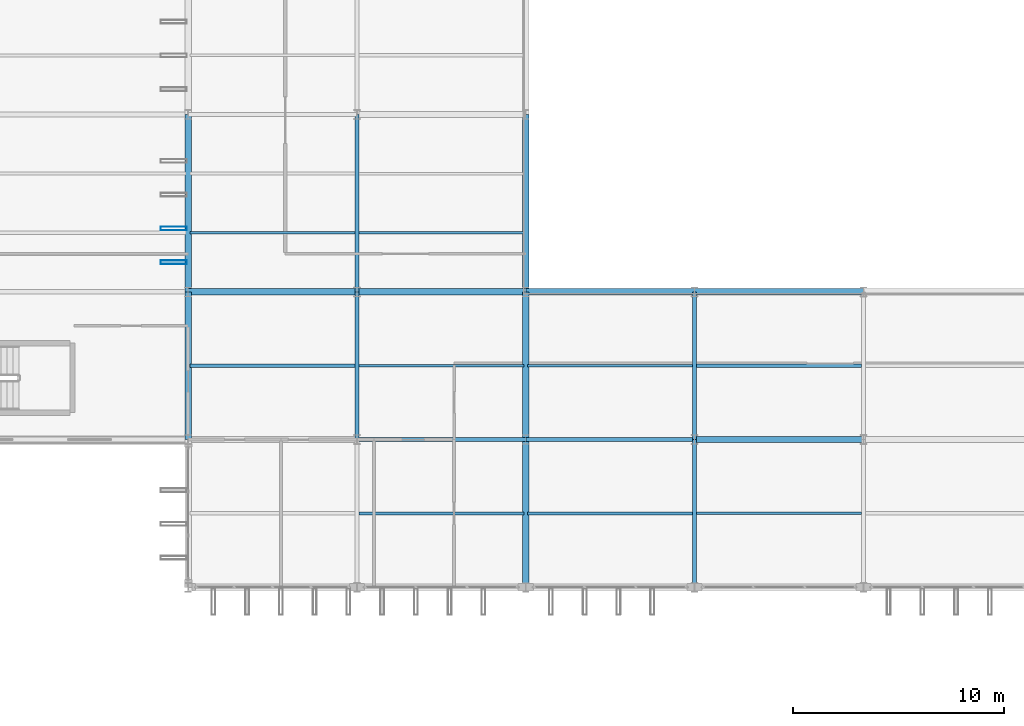
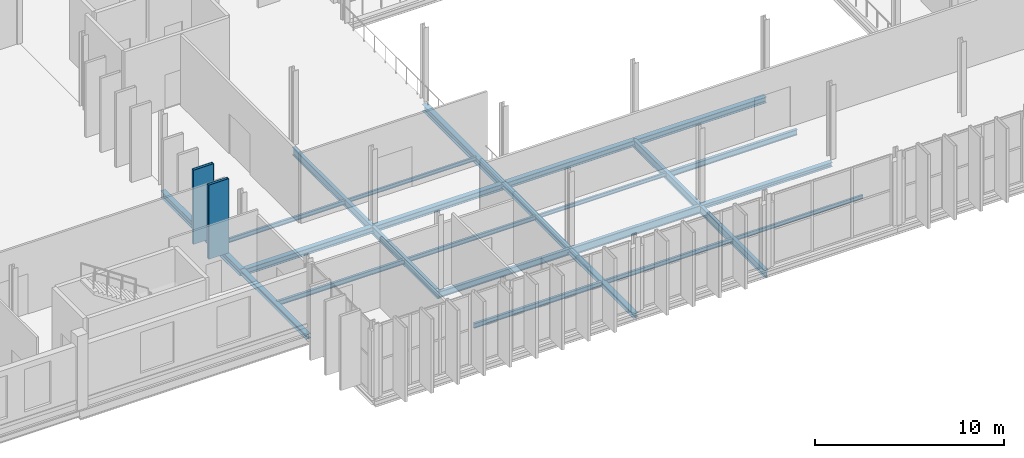
# One storey, part 27 of 120: 25 beams, 2 members.
"""IFC4 building model written with IfcOpenShell, lengths in metres."""

from ifc_helpers import new_model, si_unit, direction, frame, origin, origin_2d, place, context, subcontext, project, spatial, hollow_rectangle, i_section, extrude, material, material_profile, profile_set, type_object, element, save


model = new_model("IFC4")

# Units and contexts
model_context = context("Model", 3, precision=1e-05, world=origin(), true_north=direction((0.0, 1.0)))
body_context = subcontext(model_context, "Body", "Model", "MODEL_VIEW")
ifc_project = project(units=[si_unit("LENGTHUNIT", "METRE"), si_unit("AREAUNIT", "SQUARE_METRE"), si_unit("VOLUMEUNIT", "CUBIC_METRE"), si_unit("PLANEANGLEUNIT", "RADIAN"), si_unit("MASSUNIT", "GRAM", prefix="KILO")], contexts=[model_context])

# Site, building, storey
site_placement = place(None, origin())
site = spatial("IfcSite", under=ifc_project, at=site_placement, CompositionType="ELEMENT")
building_placement = place(site_placement, origin())
building = spatial("IfcBuilding", under=site, at=building_placement, Name="Vekula Escarpment Museum", CompositionType="ELEMENT")
storey_placement = place(building_placement, frame((0.0, 0.0, 13.199951171875)))
storey = spatial("IfcBuildingStorey", under=building, at=storey_placement, Name="L03", CompositionType="ELEMENT", Elevation=13.199951171875)

# Beams
ifc_material_1 = material(Name="Steel S355", Category="steel")
ifc_material_profile_1 = material_profile(ifc_material_1, i_section(OverallWidth=0.280029296875, OverallDepth=0.280029296875, WebThickness=0.010498046875, FlangeThickness=0.01806640625, FilletRadius=0.02392578125, at=origin_2d()), Name="HEB 280")
ifc_profile_set_1 = profile_set([ifc_material_profile_1], Name="Steel S355")
beam_type_1 = type_object("IfcBeamType", Name="BM-GIRD-HEB280", PredefinedType="BEAM", material=ifc_profile_set_1)
beam_1_placement = place(storey_placement, frame((94.0, 52.60009765625, -0.389892578125), z_axis=(1.0, 0.0, 0.0), x_axis=(0.0, 1.0, 0.0)))
element("IfcBeam", 1, at=beam_1_placement, inside=storey, type_object=beam_type_1, Name="Beam X L03 1332", PredefinedType="BEAM", context=body_context, shape_type="SweptSolid", body=[
    extrude(i_section(OverallWidth=0.280029296875, OverallDepth=0.280029296875, WebThickness=0.010498046875, FlangeThickness=0.01806640625, FilletRadius=0.02392578125, at=origin_2d()), origin(), (0.0, 0.0, 1.0), 8.0),
])
ifc_material_2 = material(Name="Steel S355", Category="steel")
ifc_material_profile_2 = material_profile(ifc_material_2, i_section(OverallWidth=0.179931640625, OverallDepth=0.39990234375, WebThickness=0.008544921875, FlangeThickness=0.013427734375, FilletRadius=0.02099609375, at=origin_2d()), Name="IPE 400")
ifc_profile_set_2 = profile_set([ifc_material_profile_2], Name="Steel S355")
beam_type_2 = type_object("IfcBeamType", Name="BM-GIRD-IPE400", PredefinedType="BEAM", material=ifc_profile_set_2)
beam_2_placement = place(storey_placement, frame((78.0, 52.60009765625, -0.449951171875), z_axis=(1.0, 0.0, 0.0), x_axis=(0.0, 1.0, 0.0)))
element("IfcBeam", 2, at=beam_2_placement, inside=storey, type_object=beam_type_2, Name="Beam X L03 1330", PredefinedType="BEAM", context=body_context, shape_type="SweptSolid", body=[
    extrude(i_section(OverallWidth=0.179931640625, OverallDepth=0.39990234375, WebThickness=0.008544921875, FlangeThickness=0.013427734375, FilletRadius=0.02099609375, at=origin_2d()), origin(), (0.0, 0.0, 1.0), 8.0),
])
ifc_material_3 = material(Name="Steel S355", Category="steel")
ifc_material_profile_3 = material_profile(ifc_material_3, i_section(OverallWidth=0.199951171875, OverallDepth=0.5, WebThickness=0.01025390625, FlangeThickness=0.01611328125, FilletRadius=0.02099609375, at=origin_2d()), Name="IPE 500")
ifc_profile_set_3 = profile_set([ifc_material_profile_3], Name="Steel S355")
beam_type_3 = type_object("IfcBeamType", Name="BM-GIRD-IPE500", PredefinedType="BEAM", material=ifc_profile_set_3)
beam_3_placement = place(storey_placement, frame((86.0, 52.60009765625, -0.5), z_axis=(1.0, 0.0, 0.0), x_axis=(0.0, 1.0, 0.0)))
element("IfcBeam", 3, at=beam_3_placement, inside=storey, type_object=beam_type_3, Name="Beam X L03 1331", PredefinedType="BEAM", context=body_context, shape_type="SweptSolid", body=[
    extrude(i_section(OverallWidth=0.199951171875, OverallDepth=0.5, WebThickness=0.01025390625, FlangeThickness=0.01611328125, FilletRadius=0.02099609375, at=origin_2d()), origin(), (0.0, 0.0, 1.0), 8.0),
])
beam_4_placement = place(storey_placement, frame((78.0, 52.60009765625, -0.5), z_axis=(0.0, 1.0, 0.0), x_axis=(-1.0, 0.0, 0.0)))
element("IfcBeam", 4, at=beam_4_placement, inside=storey, type_object=beam_type_3, Name="Beam Y L03 1566", PredefinedType="BEAM", context=body_context, shape_type="SweptSolid", body=[
    extrude(i_section(OverallWidth=0.199951171875, OverallDepth=0.5, WebThickness=0.01025390625, FlangeThickness=0.01611328125, FilletRadius=0.02099609375, at=origin_2d()), origin(), (0.0, 0.0, 1.0), 7.0),
])
beam_5_placement = place(storey_placement, frame((78.0, 59.60009765625, -0.5), z_axis=(0.0, 1.0, 0.0), x_axis=(-1.0, 0.0, 0.0)))
element("IfcBeam", 5, at=beam_5_placement, inside=storey, type_object=beam_type_3, Name="Beam Y L03 1567", PredefinedType="BEAM", context=body_context, shape_type="SweptSolid", body=[
    extrude(i_section(OverallWidth=0.199951171875, OverallDepth=0.5, WebThickness=0.01025390625, FlangeThickness=0.01611328125, FilletRadius=0.02099609375, at=origin_2d()), origin(), (0.0, 0.0, 1.0), 8.39990234375),
])
for number, where, z_axis, x_axis, name in (
    (6, (94.0, 45.60009765625, -0.5), (0.0, 1.0, 0.0), (-1.0, 0.0, 0.0), "Beam Y L03 1585"),
    (7, (94.0, 52.60009765625, -0.5), (0.0, 1.0, 0.0), (-1.0, 0.0, 0.0), "Beam Y L03 1586"),
):
    element("IfcBeam", number, at=place(storey_placement, frame(where, z_axis=z_axis, x_axis=x_axis)), inside=storey, type_object=beam_type_3, Name=name, PredefinedType="BEAM", context=body_context, shape_type="SweptSolid", body=[
        extrude(i_section(OverallWidth=0.199951171875, OverallDepth=0.5, WebThickness=0.01025390625, FlangeThickness=0.01611328125, FilletRadius=0.02099609375, at=origin_2d()), origin(), (0.0, 0.0, 1.0), 7.0),
    ])
ifc_material_4 = material(Name="Steel S355", Category="steel")
ifc_material_profile_4 = material_profile(ifc_material_4, i_section(OverallWidth=0.1201171875, OverallDepth=0.239990234375, WebThickness=0.006103515625, FlangeThickness=0.009765625, FilletRadius=0.014892578125, at=origin_2d()), Name="IPE 240")
ifc_profile_set_4 = profile_set([ifc_material_profile_4], Name="Steel S355")
beam_type_4 = type_object("IfcBeamType", Name="BM-JST-IPE240", PredefinedType="JOIST", material=ifc_profile_set_4)
for number, where, z_axis, x_axis, name in (
    (8, (78.090087890625, 62.39990234375, -0.369873046875), (1.0, 0.0, 0.0), (0.0, 1.0, 0.0), "Secondary Joist L03 1004"),
    (9, (86.090087890625, 56.10009765625, -0.369873046875), (1.0, 0.0, 0.0), (0.0, 1.0, 0.0), "Secondary Joist L03 1017"),
    (10, (94.090087890625, 49.10009765625, -0.369873046875), (1.0, 0.0, 0.0), (0.0, 1.0, 0.0), "Secondary Joist L03 1027"),
):
    element("IfcBeam", number, at=place(storey_placement, frame(where, z_axis=z_axis, x_axis=x_axis)), inside=storey, type_object=beam_type_4, Name=name, PredefinedType="JOIST", context=body_context, shape_type="SweptSolid", body=[
        extrude(i_section(OverallWidth=0.1201171875, OverallDepth=0.239990234375, WebThickness=0.006103515625, FlangeThickness=0.009765625, FilletRadius=0.014892578125, at=origin_2d()), origin(), (0.0, 0.0, 1.0), 7.81982421875),
    ])
ifc_material_5 = material(Name="Steel S355", Category="steel")
ifc_material_profile_5 = material_profile(ifc_material_5, i_section(OverallWidth=0.135009765625, OverallDepth=0.27001953125, WebThickness=0.006591796875, FlangeThickness=0.01025390625, FilletRadius=0.014892578125, at=origin_2d()), Name="IPE 270")
ifc_profile_set_5 = profile_set([ifc_material_profile_5], Name="Steel S355")
beam_type_5 = type_object("IfcBeamType", Name="BM-JST-IPE270", PredefinedType="JOIST", material=ifc_profile_set_5)
for number, where, z_axis, x_axis, name in (
    (11, (70.090087890625, 62.39990234375, -0.385009765625), (1.0, 0.0, 0.0), (0.0, 1.0, 0.0), "Secondary Joist L03 0993"),
    (12, (78.090087890625, 56.10009765625, -0.385009765625), (1.0, 0.0, 0.0), (0.0, 1.0, 0.0), "Secondary Joist L03 1003"),
    (13, (86.090087890625, 49.10009765625, -0.385009765625), (1.0, 0.0, 0.0), (0.0, 1.0, 0.0), "Secondary Joist L03 1016"),
):
    element("IfcBeam", number, at=place(storey_placement, frame(where, z_axis=z_axis, x_axis=x_axis)), inside=storey, type_object=beam_type_5, Name=name, PredefinedType="JOIST", context=body_context, shape_type="SweptSolid", body=[
        extrude(i_section(OverallWidth=0.135009765625, OverallDepth=0.27001953125, WebThickness=0.006591796875, FlangeThickness=0.01025390625, FilletRadius=0.014892578125, at=origin_2d()), origin(), (0.0, 0.0, 1.0), 7.81982421875),
    ])
ifc_material_6 = material(Name="Steel S355", Category="steel")
ifc_material_profile_6 = material_profile(ifc_material_6, i_section(OverallWidth=0.14990234375, OverallDepth=0.300048828125, WebThickness=0.007080078125, FlangeThickness=0.0107421875, FilletRadius=0.014892578125, at=origin_2d()), Name="IPE 300")
ifc_profile_set_6 = profile_set([ifc_material_profile_6], Name="Steel S355")
beam_type_6 = type_object("IfcBeamType", Name="BM-JST-IPE300", PredefinedType="JOIST", material=ifc_profile_set_6)
for number, where, z_axis, x_axis, name in (
    (14, (70.090087890625, 56.10009765625, -0.39990234375), (1.0, 0.0, 0.0), (0.0, 1.0, 0.0), "Secondary Joist L03 0992"),
    (15, (78.090087890625, 49.10009765625, -0.39990234375), (1.0, 0.0, 0.0), (0.0, 1.0, 0.0), "Secondary Joist L03 1002"),
):
    element("IfcBeam", number, at=place(storey_placement, frame(where, z_axis=z_axis, x_axis=x_axis)), inside=storey, type_object=beam_type_6, Name=name, PredefinedType="JOIST", context=body_context, shape_type="SweptSolid", body=[
        extrude(i_section(OverallWidth=0.14990234375, OverallDepth=0.300048828125, WebThickness=0.007080078125, FlangeThickness=0.0107421875, FilletRadius=0.014892578125, at=origin_2d()), origin(), (0.0, 0.0, 1.0), 7.81982421875),
    ])
ifc_material_7 = material(Name="Steel S355", Category="steel")
ifc_material_profile_7 = material_profile(ifc_material_7, i_section(OverallWidth=0.169921875, OverallDepth=0.360107421875, WebThickness=0.008056640625, FlangeThickness=0.0126953125, FilletRadius=0.01806640625, at=origin_2d()), Name="IPE 360")
ifc_profile_set_7 = profile_set([ifc_material_profile_7], Name="Steel S355")
beam_type_7 = type_object("IfcBeamType", Name="BM-JST-IPE360", PredefinedType="JOIST", material=ifc_profile_set_7)
beam_6_placement = place(storey_placement, frame((94.090087890625, 56.10009765625, -0.429931640625), z_axis=(1.0, 0.0, 0.0), x_axis=(0.0, 1.0, 0.0)))
element("IfcBeam", 16, at=beam_6_placement, inside=storey, type_object=beam_type_7, Name="Secondary Joist L03 1028", PredefinedType="JOIST", context=body_context, shape_type="SweptSolid", body=[
    extrude(i_section(OverallWidth=0.169921875, OverallDepth=0.360107421875, WebThickness=0.008056640625, FlangeThickness=0.0126953125, FilletRadius=0.01806640625, at=origin_2d()), origin(), (0.0, 0.0, 1.0), 7.81982421875),
])
ifc_material_8 = material(Name="Steel S355", Category="steel")
ifc_material_profile_8 = material_profile(ifc_material_8, i_section(OverallWidth=0.300048828125, OverallDepth=0.2900390625, WebThickness=0.008544921875, FlangeThickness=0.013916015625, FilletRadius=0.027099609375, at=origin_2d()), Name="HEA 300")
ifc_profile_set_8 = profile_set([ifc_material_profile_8], Name="Steel S355")
beam_type_8 = type_object("IfcBeamType", Name="BM-SPAN-HEA300", PredefinedType="SPANDREL", material=ifc_profile_set_8)
for number, where, z_axis, x_axis, name in (
    (17, (70.0, 52.60009765625, -0.39501953125), (0.0, 1.0, 0.0), (-1.0, 0.0, 0.0), "Beam Y L03 1558"),
    (18, (86.0, 45.60009765625, -0.39501953125), (0.0, 1.0, 0.0), (-1.0, 0.0, 0.0), "Beam Y L03 1575"),
    (19, (86.0, 52.60009765625, -0.39501953125), (0.0, 1.0, 0.0), (-1.0, 0.0, 0.0), "Beam Y L03 1576"),
):
    element("IfcBeam", number, at=place(storey_placement, frame(where, z_axis=z_axis, x_axis=x_axis)), inside=storey, type_object=beam_type_8, Name=name, PredefinedType="SPANDREL", context=body_context, shape_type="SweptSolid", body=[
        extrude(i_section(OverallWidth=0.300048828125, OverallDepth=0.2900390625, WebThickness=0.008544921875, FlangeThickness=0.013916015625, FilletRadius=0.027099609375, at=origin_2d()), origin(), (0.0, 0.0, 1.0), 7.0),
    ])
ifc_material_9 = material(Name="Steel S355", Category="steel")
ifc_material_profile_9 = material_profile(ifc_material_9, i_section(OverallWidth=0.300048828125, OverallDepth=0.389892578125, WebThickness=0.010986328125, FlangeThickness=0.01904296875, FilletRadius=0.027099609375, at=origin_2d()), Name="HEA 400")
ifc_profile_set_9 = profile_set([ifc_material_profile_9], Name="Steel S355")
beam_type_9 = type_object("IfcBeamType", Name="BM-SPAN-HEA400", PredefinedType="SPANDREL", material=ifc_profile_set_9)
for number, where, z_axis, x_axis, name in (
    (20, (70.0, 59.60009765625, -0.445068359375), (1.0, 0.0, 0.0), (0.0, 1.0, 0.0), "Beam X L03 1347"),
    (21, (78.0, 59.60009765625, -0.445068359375), (1.0, 0.0, 0.0), (0.0, 1.0, 0.0), "Beam X L03 1348"),
    (22, (86.0, 59.60009765625, -0.445068359375), (1.0, 0.0, 0.0), (0.0, 1.0, 0.0), "Beam X L03 1349"),
    (23, (94.0, 59.60009765625, -0.445068359375), (1.0, 0.0, 0.0), (0.0, 1.0, 0.0), "Beam X L03 1350"),
):
    element("IfcBeam", number, at=place(storey_placement, frame(where, z_axis=z_axis, x_axis=x_axis)), inside=storey, type_object=beam_type_9, Name=name, PredefinedType="SPANDREL", context=body_context, shape_type="SweptSolid", body=[
        extrude(i_section(OverallWidth=0.300048828125, OverallDepth=0.389892578125, WebThickness=0.010986328125, FlangeThickness=0.01904296875, FilletRadius=0.027099609375, at=origin_2d()), origin(), (0.0, 0.0, 1.0), 8.0),
    ])
ifc_material_10 = material(Name="Steel S355", Category="steel")
ifc_material_profile_10 = material_profile(ifc_material_10, i_section(OverallWidth=0.300048828125, OverallDepth=0.43994140625, WebThickness=0.011474609375, FlangeThickness=0.02099609375, FilletRadius=0.027099609375, at=origin_2d()), Name="HEA 450")
ifc_profile_set_10 = profile_set([ifc_material_profile_10], Name="Steel S355")
beam_type_10 = type_object("IfcBeamType", Name="BM-SPAN-HEA450", PredefinedType="SPANDREL", material=ifc_profile_set_10)
for number, where, z_axis, x_axis, name in (
    (24, (70.0, 59.60009765625, -0.469970703125), (0.0, 1.0, 0.0), (-1.0, 0.0, 0.0), "Beam Y L03 1559"),
    (25, (86.0, 59.60009765625, -0.469970703125), (0.0, 1.0, 0.0), (-1.0, 0.0, 0.0), "Beam Y L03 1577"),
):
    element("IfcBeam", number, at=place(storey_placement, frame(where, z_axis=z_axis, x_axis=x_axis)), inside=storey, type_object=beam_type_10, Name=name, PredefinedType="SPANDREL", context=body_context, shape_type="SweptSolid", body=[
        extrude(i_section(OverallWidth=0.300048828125, OverallDepth=0.43994140625, WebThickness=0.011474609375, FlangeThickness=0.02099609375, FilletRadius=0.027099609375, at=origin_2d()), origin(), (0.0, 0.0, 1.0), 8.39990234375),
    ])

# Members
ifc_material_11 = material(Name="Steel S355 weathered bronze solar fin", Category="steel")
ifc_material_profile_11 = material_profile(ifc_material_11, hollow_rectangle(XDim=0.179931640625, YDim=1.25, WallThickness=0.010009765625, InnerFilletRadius=0.010009765625, OuterFilletRadius=0.02001953125, at=origin_2d()), Name="RHS 1250x180x10")
ifc_profile_set_11 = profile_set([ifc_material_profile_11], Name="Steel S355 weathered bronze solar fin")
member_type = type_object("IfcMemberType", Name="MB-SOLAR-FIN", PredefinedType="USERDEFINED", material=ifc_profile_set_11)
for number, where, z_axis, x_axis, name in (
    (26, (69.320068359375, 61.0, 0.0), (0.0, 0.0, 1.0), (0.0, 1.0, 0.0), "Great Hall Vertical Solar Fin 0298"),
    (27, (69.320068359375, 62.60009765625, 0.0), (0.0, 0.0, 1.0), (0.0, 1.0, 0.0), "Great Hall Vertical Solar Fin 0303"),
):
    element("IfcMember", number, at=place(storey_placement, frame(where, z_axis=z_axis, x_axis=x_axis)), inside=storey, type_object=member_type, Name=name, ObjectType="SOLAR FIN", PredefinedType="USERDEFINED", context=body_context, shape_type="SweptSolid", body=[
        extrude(hollow_rectangle(XDim=0.179931640625, YDim=1.25, WallThickness=0.010009765625, InnerFilletRadius=0.010009765625, OuterFilletRadius=0.02001953125, at=origin_2d()), origin(), (0.0, 0.0, 1.0), 4.800048828125),
    ])

save(model, "model.ifc")
